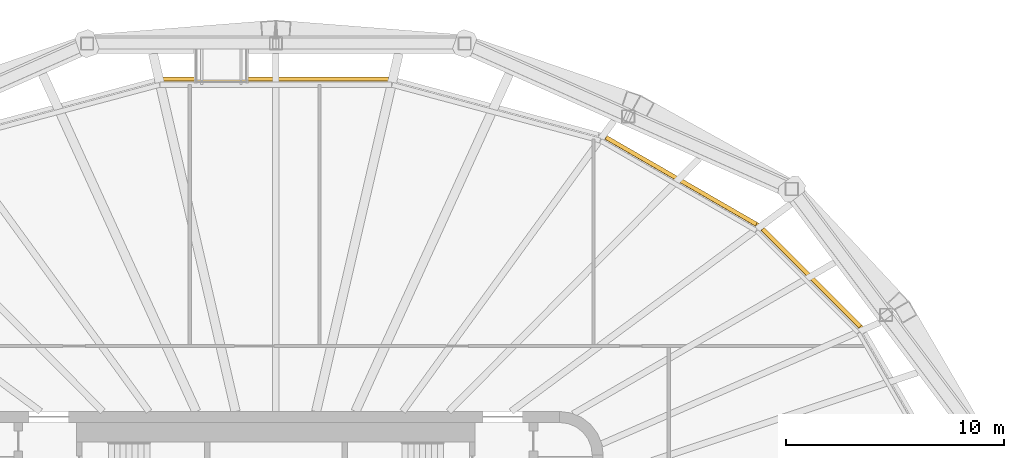
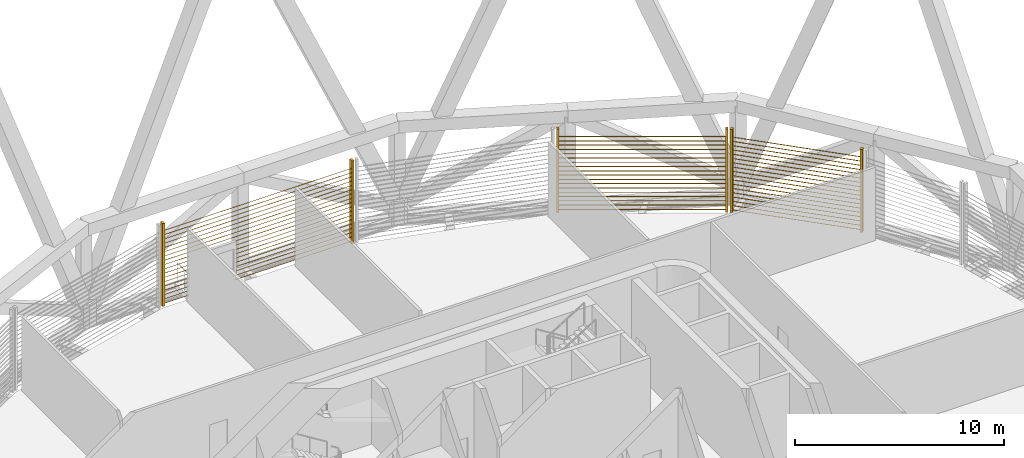
# One storey, part 17 of 18: 3 shading devices.
"""IFC4 building model written with IfcOpenShell, lengths in metres."""

from ifc_helpers import new_model, si_unit, direction, frame, origin, origin_2d, place, context, subcontext, project, spatial, rectangle, extrude, material, type_object, element, save


model = new_model("IFC4")

# Units and contexts
model_context = context("Model", 3, precision=1e-05, world=origin(), true_north=direction((0.0, 1.0)))
body_context = subcontext(model_context, "Body", "Model", "MODEL_VIEW")
ifc_project = project(units=[si_unit("LENGTHUNIT", "METRE"), si_unit("AREAUNIT", "SQUARE_METRE"), si_unit("VOLUMEUNIT", "CUBIC_METRE"), si_unit("PLANEANGLEUNIT", "RADIAN"), si_unit("MASSUNIT", "GRAM", prefix="KILO")], contexts=[model_context])

# Site, building, storey
site_placement = place(None, origin())
site = spatial("IfcSite", under=ifc_project, at=site_placement, CompositionType="ELEMENT")
building_placement = place(site_placement, origin())
building = spatial("IfcBuilding", under=site, at=building_placement, Name="Sahrelin Media Tower", CompositionType="ELEMENT")
storey_placement = place(building_placement, frame((0.0, 0.0, 197.60009765625)))
storey = spatial("IfcBuildingStorey", under=building, at=storey_placement, Name="L42", CompositionType="ELEMENT", Elevation=197.60009765625)

# Shading devices
ifc_material = material(Name="Champagne anodised aluminium 6063-T6", Category="aluminium")
shading_device_type = type_object("IfcShadingDeviceType", Name="Sand-rejection louvre band", PredefinedType="USERDEFINED", material=ifc_material)
shading_device_1_placement = place(storey_placement, frame((24.4619140625, 14.04931640625, 0.0), z_axis=(0.0, 0.0, 1.0), x_axis=(0.707106781187, -0.707106781187, 0.0)))
element("IfcShadingDevice", 1, at=shading_device_1_placement, inside=storey, type_object=shading_device_type, Name="L42:LOUVRE:L42-03", ObjectType="LOUVRE", PredefinedType="USERDEFINED", context=body_context, shape_type="SweptSolid", body=[
    extrude(rectangle(XDim=0.1201171875, YDim=0.199951171875, at=origin_2d()), frame((3.21728515625, 0.10009765625, 0.050048828125), z_axis=(0.0, 0.0, 1.0), x_axis=(1.0, 0.0, 0.0)), (0.0, 0.0, 1.0), 4.8486328125),
    extrude(rectangle(XDim=0.1201171875, YDim=0.199951171875, at=origin_2d()), frame((-3.21728515625, 0.10009765625, 0.050048828125), z_axis=(0.0, 0.0, 1.0), x_axis=(1.0, 0.0, 0.0)), (0.0, 0.0, 1.0), 4.8486328125),
    extrude(rectangle(XDim=0.25, YDim=0.02001953125, at=origin_2d()), frame((3.1572265625, 0.10009765625, 0.14990234375), z_axis=(-1.0, 0.0, 0.0), x_axis=(0.0, -0.766044443119, 0.642787609687)), (0.0, 0.0, 1.0), 6.314453125),
    extrude(rectangle(XDim=0.25, YDim=0.02001953125, at=origin_2d()), frame((3.1572265625, 0.10009765625, 0.39990234375), z_axis=(-1.0, 0.0, 0.0), x_axis=(0.0, -0.766044443119, 0.642787609687)), (0.0, 0.0, 1.0), 6.314453125),
    extrude(rectangle(XDim=0.25, YDim=0.02001953125, at=origin_2d()), frame((3.1572265625, 0.10009765625, 0.64990234375), z_axis=(-1.0, 0.0, 0.0), x_axis=(0.0, -0.766044443119, 0.642787609687)), (0.0, 0.0, 1.0), 6.314453125),
    extrude(rectangle(XDim=0.25, YDim=0.02001953125, at=origin_2d()), frame((3.1572265625, 0.10009765625, 0.89990234375), z_axis=(-1.0, 0.0, 0.0), x_axis=(0.0, -0.766044443119, 0.642787609687)), (0.0, 0.0, 1.0), 6.314453125),
    extrude(rectangle(XDim=0.25, YDim=0.02001953125, at=origin_2d()), frame((3.1572265625, 0.10009765625, 1.14990234375), z_axis=(-1.0, 0.0, 0.0), x_axis=(0.0, -0.766044443119, 0.642787609687)), (0.0, 0.0, 1.0), 6.314453125),
    extrude(rectangle(XDim=0.25, YDim=0.02001953125, at=origin_2d()), frame((3.1572265625, 0.10009765625, 1.39990234375), z_axis=(-1.0, 0.0, 0.0), x_axis=(0.0, -0.766044443119, 0.642787609687)), (0.0, 0.0, 1.0), 6.314453125),
    extrude(rectangle(XDim=0.25, YDim=0.02001953125, at=origin_2d()), frame((3.1572265625, 0.10009765625, 1.64990234375), z_axis=(-1.0, 0.0, 0.0), x_axis=(0.0, -0.766044443119, 0.642787609687)), (0.0, 0.0, 1.0), 6.314453125),
    extrude(rectangle(XDim=0.25, YDim=0.02001953125, at=origin_2d()), frame((3.1572265625, 0.10009765625, 1.89990234375), z_axis=(-1.0, 0.0, 0.0), x_axis=(0.0, -0.766044443119, 0.642787609687)), (0.0, 0.0, 1.0), 6.314453125),
    extrude(rectangle(XDim=0.25, YDim=0.02001953125, at=origin_2d()), frame((3.1572265625, 0.10009765625, 2.14990234375), z_axis=(-1.0, 0.0, 0.0), x_axis=(0.0, -0.766044443119, 0.642787609687)), (0.0, 0.0, 1.0), 6.314453125),
    extrude(rectangle(XDim=0.25, YDim=0.02001953125, at=origin_2d()), frame((3.1572265625, 0.10009765625, 2.39990234375), z_axis=(-1.0, 0.0, 0.0), x_axis=(0.0, -0.766044443119, 0.642787609687)), (0.0, 0.0, 1.0), 6.314453125),
    extrude(rectangle(XDim=0.25, YDim=0.02001953125, at=origin_2d()), frame((3.1572265625, 0.10009765625, 2.64990234375), z_axis=(-1.0, 0.0, 0.0), x_axis=(0.0, -0.766044443119, 0.642787609687)), (0.0, 0.0, 1.0), 6.314453125),
    extrude(rectangle(XDim=0.25, YDim=0.02001953125, at=origin_2d()), frame((3.1572265625, 0.10009765625, 2.89990234375), z_axis=(-1.0, 0.0, 0.0), x_axis=(0.0, -0.766044443119, 0.642787609687)), (0.0, 0.0, 1.0), 6.314453125),
    extrude(rectangle(XDim=0.25, YDim=0.02001953125, at=origin_2d()), frame((3.1572265625, 0.10009765625, 3.14990234375), z_axis=(-1.0, 0.0, 0.0), x_axis=(0.0, -0.766044443119, 0.642787609687)), (0.0, 0.0, 1.0), 6.314453125),
    extrude(rectangle(XDim=0.25, YDim=0.02001953125, at=origin_2d()), frame((3.1572265625, 0.10009765625, 3.39990234375), z_axis=(-1.0, 0.0, 0.0), x_axis=(0.0, -0.766044443119, 0.642787609687)), (0.0, 0.0, 1.0), 6.314453125),
    extrude(rectangle(XDim=0.25, YDim=0.02001953125, at=origin_2d()), frame((3.1572265625, 0.10009765625, 3.64990234375), z_axis=(-1.0, 0.0, 0.0), x_axis=(0.0, -0.766044443119, 0.642787609687)), (0.0, 0.0, 1.0), 6.314453125),
    extrude(rectangle(XDim=0.25, YDim=0.02001953125, at=origin_2d()), frame((3.1572265625, 0.10009765625, 3.89990234375), z_axis=(-1.0, 0.0, 0.0), x_axis=(0.0, -0.766044443119, 0.642787609687)), (0.0, 0.0, 1.0), 6.314453125),
    extrude(rectangle(XDim=0.25, YDim=0.02001953125, at=origin_2d()), frame((3.1572265625, 0.10009765625, 4.14990234375), z_axis=(-1.0, 0.0, 0.0), x_axis=(0.0, -0.766044443119, 0.642787609687)), (0.0, 0.0, 1.0), 6.314453125),
    extrude(rectangle(XDim=0.25, YDim=0.02001953125, at=origin_2d()), frame((3.1572265625, 0.10009765625, 4.39990234375), z_axis=(-1.0, 0.0, 0.0), x_axis=(0.0, -0.766044443119, 0.642787609687)), (0.0, 0.0, 1.0), 6.314453125),
])
shading_device_2_placement = place(storey_placement, frame((18.518798828125, 18.47509765625, 0.0), z_axis=(0.0, 0.0, 1.0), x_axis=(0.866019052629, -0.500011000363, 0.0)))
element("IfcShadingDevice", 2, at=shading_device_2_placement, inside=storey, type_object=shading_device_type, Name="L42:LOUVRE:L42-04", ObjectType="LOUVRE", PredefinedType="USERDEFINED", context=body_context, shape_type="SweptSolid", body=[
    extrude(rectangle(XDim=0.1201171875, YDim=0.199951171875, at=origin_2d()), frame((4.035888671875, 0.10009765625, 0.050048828125), z_axis=(0.0, 0.0, 1.0), x_axis=(1.0, 0.0, 0.0)), (0.0, 0.0, 1.0), 4.8486328125),
    extrude(rectangle(XDim=0.1201171875, YDim=0.199951171875, at=origin_2d()), frame((-4.035888671875, 0.10009765625, 0.050048828125), z_axis=(0.0, 0.0, 1.0), x_axis=(1.0, 0.0, 0.0)), (0.0, 0.0, 1.0), 4.8486328125),
    extrude(rectangle(XDim=0.25, YDim=0.02001953125, at=origin_2d()), frame((3.975830078125, 0.10009765625, 0.14990234375), z_axis=(-1.0, 0.0, 0.0), x_axis=(0.0, -0.766044443119, 0.642787609687)), (0.0, 0.0, 1.0), 7.95166015625),
    extrude(rectangle(XDim=0.25, YDim=0.02001953125, at=origin_2d()), frame((3.975830078125, 0.10009765625, 0.39990234375), z_axis=(-1.0, 0.0, 0.0), x_axis=(0.0, -0.766044443119, 0.642787609687)), (0.0, 0.0, 1.0), 7.95166015625),
    extrude(rectangle(XDim=0.25, YDim=0.02001953125, at=origin_2d()), frame((3.975830078125, 0.10009765625, 0.64990234375), z_axis=(-1.0, 0.0, 0.0), x_axis=(0.0, -0.766044443119, 0.642787609687)), (0.0, 0.0, 1.0), 7.95166015625),
    extrude(rectangle(XDim=0.25, YDim=0.02001953125, at=origin_2d()), frame((3.975830078125, 0.10009765625, 0.89990234375), z_axis=(-1.0, 0.0, 0.0), x_axis=(0.0, -0.766044443119, 0.642787609687)), (0.0, 0.0, 1.0), 7.95166015625),
    extrude(rectangle(XDim=0.25, YDim=0.02001953125, at=origin_2d()), frame((3.975830078125, 0.10009765625, 1.14990234375), z_axis=(-1.0, 0.0, 0.0), x_axis=(0.0, -0.766044443119, 0.642787609687)), (0.0, 0.0, 1.0), 7.95166015625),
    extrude(rectangle(XDim=0.25, YDim=0.02001953125, at=origin_2d()), frame((3.975830078125, 0.10009765625, 1.39990234375), z_axis=(-1.0, 0.0, 0.0), x_axis=(0.0, -0.766044443119, 0.642787609687)), (0.0, 0.0, 1.0), 7.95166015625),
    extrude(rectangle(XDim=0.25, YDim=0.02001953125, at=origin_2d()), frame((3.975830078125, 0.10009765625, 1.64990234375), z_axis=(-1.0, 0.0, 0.0), x_axis=(0.0, -0.766044443119, 0.642787609687)), (0.0, 0.0, 1.0), 7.95166015625),
    extrude(rectangle(XDim=0.25, YDim=0.02001953125, at=origin_2d()), frame((3.975830078125, 0.10009765625, 1.89990234375), z_axis=(-1.0, 0.0, 0.0), x_axis=(0.0, -0.766044443119, 0.642787609687)), (0.0, 0.0, 1.0), 7.95166015625),
    extrude(rectangle(XDim=0.25, YDim=0.02001953125, at=origin_2d()), frame((3.975830078125, 0.10009765625, 2.14990234375), z_axis=(-1.0, 0.0, 0.0), x_axis=(0.0, -0.766044443119, 0.642787609687)), (0.0, 0.0, 1.0), 7.95166015625),
    extrude(rectangle(XDim=0.25, YDim=0.02001953125, at=origin_2d()), frame((3.975830078125, 0.10009765625, 2.39990234375), z_axis=(-1.0, 0.0, 0.0), x_axis=(0.0, -0.766044443119, 0.642787609687)), (0.0, 0.0, 1.0), 7.95166015625),
    extrude(rectangle(XDim=0.25, YDim=0.02001953125, at=origin_2d()), frame((3.975830078125, 0.10009765625, 2.64990234375), z_axis=(-1.0, 0.0, 0.0), x_axis=(0.0, -0.766044443119, 0.642787609687)), (0.0, 0.0, 1.0), 7.95166015625),
    extrude(rectangle(XDim=0.25, YDim=0.02001953125, at=origin_2d()), frame((3.975830078125, 0.10009765625, 2.89990234375), z_axis=(-1.0, 0.0, 0.0), x_axis=(0.0, -0.766044443119, 0.642787609687)), (0.0, 0.0, 1.0), 7.95166015625),
    extrude(rectangle(XDim=0.25, YDim=0.02001953125, at=origin_2d()), frame((3.975830078125, 0.10009765625, 3.14990234375), z_axis=(-1.0, 0.0, 0.0), x_axis=(0.0, -0.766044443119, 0.642787609687)), (0.0, 0.0, 1.0), 7.95166015625),
    extrude(rectangle(XDim=0.25, YDim=0.02001953125, at=origin_2d()), frame((3.975830078125, 0.10009765625, 3.39990234375), z_axis=(-1.0, 0.0, 0.0), x_axis=(0.0, -0.766044443119, 0.642787609687)), (0.0, 0.0, 1.0), 7.95166015625),
    extrude(rectangle(XDim=0.25, YDim=0.02001953125, at=origin_2d()), frame((3.975830078125, 0.10009765625, 3.64990234375), z_axis=(-1.0, 0.0, 0.0), x_axis=(0.0, -0.766044443119, 0.642787609687)), (0.0, 0.0, 1.0), 7.95166015625),
    extrude(rectangle(XDim=0.25, YDim=0.02001953125, at=origin_2d()), frame((3.975830078125, 0.10009765625, 3.89990234375), z_axis=(-1.0, 0.0, 0.0), x_axis=(0.0, -0.766044443119, 0.642787609687)), (0.0, 0.0, 1.0), 7.95166015625),
    extrude(rectangle(XDim=0.25, YDim=0.02001953125, at=origin_2d()), frame((3.975830078125, 0.10009765625, 4.14990234375), z_axis=(-1.0, 0.0, 0.0), x_axis=(0.0, -0.766044443119, 0.642787609687)), (0.0, 0.0, 1.0), 7.95166015625),
    extrude(rectangle(XDim=0.25, YDim=0.02001953125, at=origin_2d()), frame((3.975830078125, 0.10009765625, 4.39990234375), z_axis=(-1.0, 0.0, 0.0), x_axis=(0.0, -0.766044443119, 0.642787609687)), (0.0, 0.0, 1.0), 7.95166015625),
])
shading_device_3_placement = place(storey_placement, frame((0.0, 23.119140625, 0.0), z_axis=(0.0, 0.0, 1.0), x_axis=(1.0, 0.0, 0.0)))
element("IfcShadingDevice", 3, at=shading_device_3_placement, inside=storey, type_object=shading_device_type, Name="L42:LOUVRE:L42-06", ObjectType="LOUVRE", PredefinedType="USERDEFINED", context=body_context, shape_type="SweptSolid", body=[
    extrude(rectangle(XDim=0.1201171875, YDim=0.199951171875, at=origin_2d()), frame((5.222412109375, 0.10009765625, 0.050048828125), z_axis=(0.0, 0.0, 1.0), x_axis=(1.0, 0.0, 0.0)), (0.0, 0.0, 1.0), 4.8486328125),
    extrude(rectangle(XDim=0.1201171875, YDim=0.199951171875, at=origin_2d()), frame((-5.222412109375, 0.10009765625, 0.050048828125), z_axis=(0.0, 0.0, 1.0), x_axis=(1.0, 0.0, 0.0)), (0.0, 0.0, 1.0), 4.8486328125),
    extrude(rectangle(XDim=0.25, YDim=0.02001953125, at=origin_2d()), frame((5.162353515625, 0.10009765625, 0.14990234375), z_axis=(-1.0, 0.0, 0.0), x_axis=(0.0, -0.766044443119, 0.642787609687)), (0.0, 0.0, 1.0), 6.3623046875),
    extrude(rectangle(XDim=0.25, YDim=0.02001953125, at=origin_2d()), frame((-3.800048828125, 0.10009765625, 0.14990234375), z_axis=(-1.0, 0.0, 0.0), x_axis=(0.0, -0.766044443119, 0.642787609687)), (0.0, 0.0, 1.0), 1.3623046875),
    extrude(rectangle(XDim=0.25, YDim=0.02001953125, at=origin_2d()), frame((5.162353515625, 0.10009765625, 0.39990234375), z_axis=(-1.0, 0.0, 0.0), x_axis=(0.0, -0.766044443119, 0.642787609687)), (0.0, 0.0, 1.0), 6.3623046875),
    extrude(rectangle(XDim=0.25, YDim=0.02001953125, at=origin_2d()), frame((-3.800048828125, 0.10009765625, 0.39990234375), z_axis=(-1.0, 0.0, 0.0), x_axis=(0.0, -0.766044443119, 0.642787609687)), (0.0, 0.0, 1.0), 1.3623046875),
    extrude(rectangle(XDim=0.25, YDim=0.02001953125, at=origin_2d()), frame((5.162353515625, 0.10009765625, 0.64990234375), z_axis=(-1.0, 0.0, 0.0), x_axis=(0.0, -0.766044443119, 0.642787609687)), (0.0, 0.0, 1.0), 6.3623046875),
    extrude(rectangle(XDim=0.25, YDim=0.02001953125, at=origin_2d()), frame((-3.800048828125, 0.10009765625, 0.64990234375), z_axis=(-1.0, 0.0, 0.0), x_axis=(0.0, -0.766044443119, 0.642787609687)), (0.0, 0.0, 1.0), 1.3623046875),
    extrude(rectangle(XDim=0.25, YDim=0.02001953125, at=origin_2d()), frame((5.162353515625, 0.10009765625, 0.89990234375), z_axis=(-1.0, 0.0, 0.0), x_axis=(0.0, -0.766044443119, 0.642787609687)), (0.0, 0.0, 1.0), 6.3623046875),
    extrude(rectangle(XDim=0.25, YDim=0.02001953125, at=origin_2d()), frame((-3.800048828125, 0.10009765625, 0.89990234375), z_axis=(-1.0, 0.0, 0.0), x_axis=(0.0, -0.766044443119, 0.642787609687)), (0.0, 0.0, 1.0), 1.3623046875),
    extrude(rectangle(XDim=0.25, YDim=0.02001953125, at=origin_2d()), frame((5.162353515625, 0.10009765625, 1.14990234375), z_axis=(-1.0, 0.0, 0.0), x_axis=(0.0, -0.766044443119, 0.642787609687)), (0.0, 0.0, 1.0), 6.3623046875),
    extrude(rectangle(XDim=0.25, YDim=0.02001953125, at=origin_2d()), frame((-3.800048828125, 0.10009765625, 1.14990234375), z_axis=(-1.0, 0.0, 0.0), x_axis=(0.0, -0.766044443119, 0.642787609687)), (0.0, 0.0, 1.0), 1.3623046875),
    extrude(rectangle(XDim=0.25, YDim=0.02001953125, at=origin_2d()), frame((5.162353515625, 0.10009765625, 1.39990234375), z_axis=(-1.0, 0.0, 0.0), x_axis=(0.0, -0.766044443119, 0.642787609687)), (0.0, 0.0, 1.0), 6.3623046875),
    extrude(rectangle(XDim=0.25, YDim=0.02001953125, at=origin_2d()), frame((-3.800048828125, 0.10009765625, 1.39990234375), z_axis=(-1.0, 0.0, 0.0), x_axis=(0.0, -0.766044443119, 0.642787609687)), (0.0, 0.0, 1.0), 1.3623046875),
    extrude(rectangle(XDim=0.25, YDim=0.02001953125, at=origin_2d()), frame((5.162353515625, 0.10009765625, 1.64990234375), z_axis=(-1.0, 0.0, 0.0), x_axis=(0.0, -0.766044443119, 0.642787609687)), (0.0, 0.0, 1.0), 6.3623046875),
    extrude(rectangle(XDim=0.25, YDim=0.02001953125, at=origin_2d()), frame((-3.800048828125, 0.10009765625, 1.64990234375), z_axis=(-1.0, 0.0, 0.0), x_axis=(0.0, -0.766044443119, 0.642787609687)), (0.0, 0.0, 1.0), 1.3623046875),
    extrude(rectangle(XDim=0.25, YDim=0.02001953125, at=origin_2d()), frame((5.162353515625, 0.10009765625, 1.89990234375), z_axis=(-1.0, 0.0, 0.0), x_axis=(0.0, -0.766044443119, 0.642787609687)), (0.0, 0.0, 1.0), 6.3623046875),
    extrude(rectangle(XDim=0.25, YDim=0.02001953125, at=origin_2d()), frame((-3.800048828125, 0.10009765625, 1.89990234375), z_axis=(-1.0, 0.0, 0.0), x_axis=(0.0, -0.766044443119, 0.642787609687)), (0.0, 0.0, 1.0), 1.3623046875),
    extrude(rectangle(XDim=0.25, YDim=0.02001953125, at=origin_2d()), frame((5.162353515625, 0.10009765625, 2.14990234375), z_axis=(-1.0, 0.0, 0.0), x_axis=(0.0, -0.766044443119, 0.642787609687)), (0.0, 0.0, 1.0), 6.3623046875),
    extrude(rectangle(XDim=0.25, YDim=0.02001953125, at=origin_2d()), frame((-3.800048828125, 0.10009765625, 2.14990234375), z_axis=(-1.0, 0.0, 0.0), x_axis=(0.0, -0.766044443119, 0.642787609687)), (0.0, 0.0, 1.0), 1.3623046875),
    extrude(rectangle(XDim=0.25, YDim=0.02001953125, at=origin_2d()), frame((5.162353515625, 0.10009765625, 2.39990234375), z_axis=(-1.0, 0.0, 0.0), x_axis=(0.0, -0.766044443119, 0.642787609687)), (0.0, 0.0, 1.0), 6.3623046875),
    extrude(rectangle(XDim=0.25, YDim=0.02001953125, at=origin_2d()), frame((-3.800048828125, 0.10009765625, 2.39990234375), z_axis=(-1.0, 0.0, 0.0), x_axis=(0.0, -0.766044443119, 0.642787609687)), (0.0, 0.0, 1.0), 1.3623046875),
    extrude(rectangle(XDim=0.25, YDim=0.02001953125, at=origin_2d()), frame((5.162353515625, 0.10009765625, 2.64990234375), z_axis=(-1.0, 0.0, 0.0), x_axis=(0.0, -0.766044443119, 0.642787609687)), (0.0, 0.0, 1.0), 10.32470703125),
    extrude(rectangle(XDim=0.25, YDim=0.02001953125, at=origin_2d()), frame((5.162353515625, 0.10009765625, 2.89990234375), z_axis=(-1.0, 0.0, 0.0), x_axis=(0.0, -0.766044443119, 0.642787609687)), (0.0, 0.0, 1.0), 10.32470703125),
    extrude(rectangle(XDim=0.25, YDim=0.02001953125, at=origin_2d()), frame((5.162353515625, 0.10009765625, 3.14990234375), z_axis=(-1.0, 0.0, 0.0), x_axis=(0.0, -0.766044443119, 0.642787609687)), (0.0, 0.0, 1.0), 10.32470703125),
    extrude(rectangle(XDim=0.25, YDim=0.02001953125, at=origin_2d()), frame((5.162353515625, 0.10009765625, 3.39990234375), z_axis=(-1.0, 0.0, 0.0), x_axis=(0.0, -0.766044443119, 0.642787609687)), (0.0, 0.0, 1.0), 10.32470703125),
    extrude(rectangle(XDim=0.25, YDim=0.02001953125, at=origin_2d()), frame((5.162353515625, 0.10009765625, 3.64990234375), z_axis=(-1.0, 0.0, 0.0), x_axis=(0.0, -0.766044443119, 0.642787609687)), (0.0, 0.0, 1.0), 10.32470703125),
    extrude(rectangle(XDim=0.25, YDim=0.02001953125, at=origin_2d()), frame((5.162353515625, 0.10009765625, 3.89990234375), z_axis=(-1.0, 0.0, 0.0), x_axis=(0.0, -0.766044443119, 0.642787609687)), (0.0, 0.0, 1.0), 10.32470703125),
    extrude(rectangle(XDim=0.25, YDim=0.02001953125, at=origin_2d()), frame((5.162353515625, 0.10009765625, 4.14990234375), z_axis=(-1.0, 0.0, 0.0), x_axis=(0.0, -0.766044443119, 0.642787609687)), (0.0, 0.0, 1.0), 10.32470703125),
    extrude(rectangle(XDim=0.25, YDim=0.02001953125, at=origin_2d()), frame((5.162353515625, 0.10009765625, 4.39990234375), z_axis=(-1.0, 0.0, 0.0), x_axis=(0.0, -0.766044443119, 0.642787609687)), (0.0, 0.0, 1.0), 10.32470703125),
])

save(model, "model.ifc")
